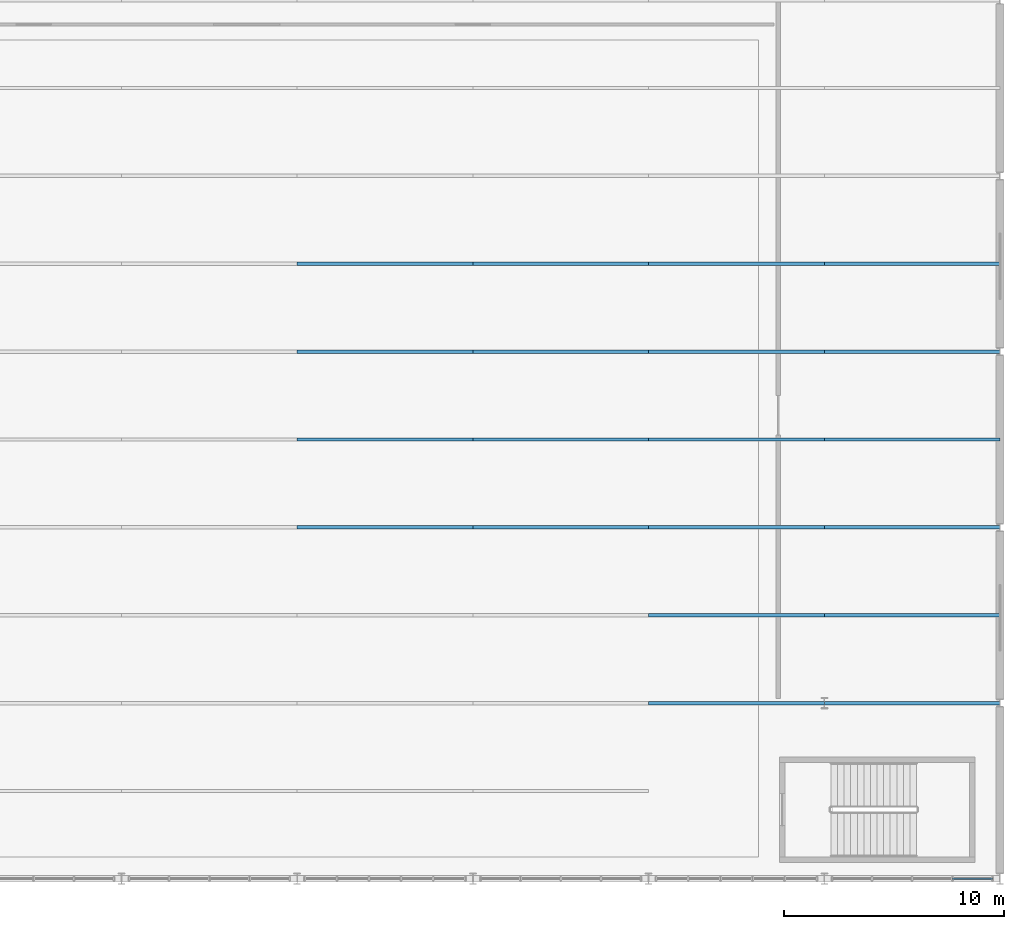
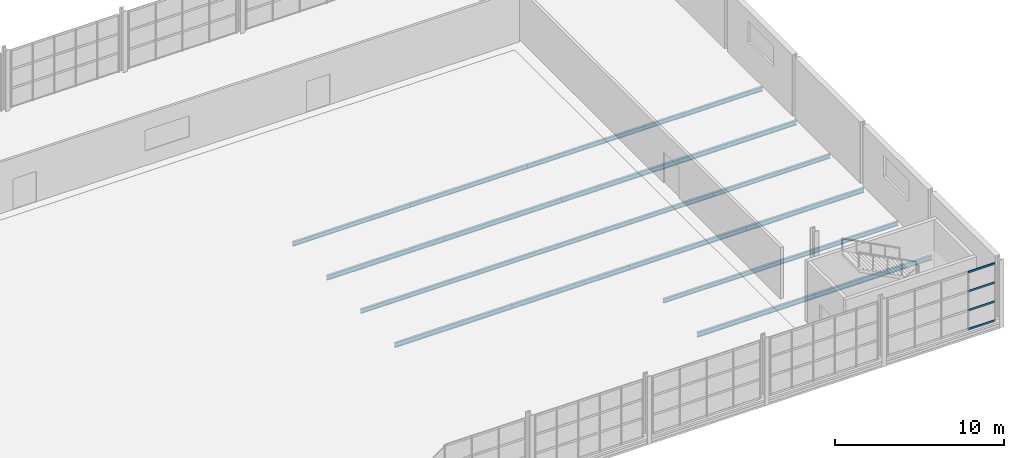
# One storey, part 108 of 153: 20 beams, 4 members, 1 element without a shape of its own.
"""IFC4 building model written with IfcOpenShell, lengths in metres."""

from ifc_helpers import new_model, si_unit, derived_unit, direction, frame, origin, origin_2d, place, context, subcontext, project, spatial, hollow_rectangle, i_section, extrude, material, material_profile, profile_set, type_object, element, aggregate, save


model = new_model("IFC4")

# Units and contexts
model_context = context("Model", 3, precision=1e-05, world=origin(), true_north=direction((0.0, 1.0)))
body_context = subcontext(model_context, "Body", "Model", "MODEL_VIEW")
ifc_project = project(units=[si_unit("LENGTHUNIT", "METRE"), si_unit("AREAUNIT", "SQUARE_METRE"), si_unit("VOLUMEUNIT", "CUBIC_METRE"), si_unit("PLANEANGLEUNIT", "RADIAN"), si_unit("MASSUNIT", "GRAM", prefix="KILO"), derived_unit("THERMALTRANSMITTANCEUNIT", [(si_unit("POWERUNIT", "WATT"), 1), (si_unit("LENGTHUNIT", "METRE"), -2), (si_unit("THERMODYNAMICTEMPERATUREUNIT", "KELVIN"), -1)])], contexts=[model_context])

# Site, building, storey
site_placement = place(None, origin())
site = spatial("IfcSite", under=ifc_project, at=site_placement, CompositionType="ELEMENT")
building_placement = place(site_placement, origin())
building = spatial("IfcBuilding", under=site, at=building_placement, Name="Keldorne Ridge Multi-Sports Centre", CompositionType="ELEMENT")
storey_placement = place(building_placement, frame((0.0, 0.0, 9.60009765625)))
storey = spatial("IfcBuildingStorey", under=building, at=storey_placement, Name="L02", CompositionType="ELEMENT", Elevation=9.60009765625)

# Beams
ifc_material_1 = material(Name="Steel S355", Category="steel")
ifc_material_profile_1 = material_profile(ifc_material_1, i_section(OverallWidth=0.159912109375, OverallDepth=0.330078125, WebThickness=0.007568359375, FlangeThickness=0.011474609375, FilletRadius=0.01806640625, at=origin_2d()), Name="IPE 330")
ifc_profile_set_1 = profile_set([ifc_material_profile_1], Name="Steel S355")
beam_type_1 = type_object("IfcBeamType", Name="BM-J-01", PredefinedType="JOIST", material=ifc_profile_set_1)
for number, where, z_axis, x_axis, name in (
    (1, (136.0, 22.0, -0.405029296875), (1.0, 0.0, 0.0), (0.0, 1.0, 0.0), "L02 Stacked Courts beam 5.5"),
    (2, (136.0, 30.0, -0.405029296875), (1.0, 0.0, 0.0), (0.0, 1.0, 0.0), "L02 Stacked Courts beam 5.7"),
    (3, (144.0, 22.0, -0.405029296875), (1.0, 0.0, 0.0), (0.0, 1.0, 0.0), "L02 Stacked Courts beam 6.5"),
    (4, (144.0, 30.0, -0.405029296875), (1.0, 0.0, 0.0), (0.0, 1.0, 0.0), "L02 Stacked Courts beam 6.7"),
    (5, (152.0, 14.0, -0.405029296875), (1.0, 0.0, 0.0), (0.0, 1.0, 0.0), "L02 Stacked Courts beam 7.3"),
    (6, (152.0, 22.0, -0.405029296875), (1.0, 0.0, 0.0), (0.0, 1.0, 0.0), "L02 Stacked Courts beam 7.5"),
    (7, (152.0, 30.0, -0.405029296875), (1.0, 0.0, 0.0), (0.0, 1.0, 0.0), "L02 Stacked Courts beam 7.7"),
    (8, (160.0, 14.0, -0.405029296875), (1.0, 0.0, 0.0), (0.0, 1.0, 0.0), "L02 Stacked Courts beam 8.3"),
    (9, (160.0, 22.0, -0.405029296875), (1.0, 0.0, 0.0), (0.0, 1.0, 0.0), "L02 Stacked Courts beam 8.5"),
    (10, (160.0, 30.0, -0.405029296875), (1.0, 0.0, 0.0), (0.0, 1.0, 0.0), "L02 Stacked Courts beam 8.7"),
):
    element("IfcBeam", number, at=place(storey_placement, frame(where, z_axis=z_axis, x_axis=x_axis)), inside=storey, type_object=beam_type_1, Name=name, PredefinedType="JOIST", context=body_context, shape_type="SweptSolid", body=[
        extrude(i_section(OverallWidth=0.159912109375, OverallDepth=0.330078125, WebThickness=0.007568359375, FlangeThickness=0.011474609375, FilletRadius=0.01806640625, at=origin_2d()), origin(), (0.0, 0.0, 1.0), 8.0),
    ])
ifc_material_profile_2 = material_profile(ifc_material_1, i_section(OverallWidth=0.14990234375, OverallDepth=0.300048828125, WebThickness=0.007080078125, FlangeThickness=0.0107421875, FilletRadius=0.014892578125, at=origin_2d()), Name="IPE 300")
ifc_profile_set_2 = profile_set([ifc_material_profile_2], Name="Steel S355")
beam_type_2 = type_object("IfcBeamType", Name="BM-J-02", PredefinedType="JOIST", material=ifc_profile_set_2)
for number, where, z_axis, x_axis, name in (
    (11, (136.0, 26.0, -0.39013671875), (1.0, 0.0, 0.0), (0.0, 1.0, 0.0), "L02 Stacked Courts beam 5.6"),
    (12, (136.0, 34.0, -0.39013671875), (1.0, 0.0, 0.0), (0.0, 1.0, 0.0), "L02 Stacked Courts beam 5.8"),
    (13, (144.0, 26.0, -0.39013671875), (1.0, 0.0, 0.0), (0.0, 1.0, 0.0), "L02 Stacked Courts beam 6.6"),
    (14, (144.0, 34.0, -0.39013671875), (1.0, 0.0, 0.0), (0.0, 1.0, 0.0), "L02 Stacked Courts beam 6.8"),
    (15, (152.0, 18.0, -0.39013671875), (1.0, 0.0, 0.0), (0.0, 1.0, 0.0), "L02 Stacked Courts beam 7.4"),
    (16, (152.0, 26.0, -0.39013671875), (1.0, 0.0, 0.0), (0.0, 1.0, 0.0), "L02 Stacked Courts beam 7.6"),
    (17, (152.0, 34.0, -0.39013671875), (1.0, 0.0, 0.0), (0.0, 1.0, 0.0), "L02 Stacked Courts beam 7.8"),
    (18, (160.0, 18.0, -0.39013671875), (1.0, 0.0, 0.0), (0.0, 1.0, 0.0), "L02 Stacked Courts beam 8.4"),
    (19, (160.0, 26.0, -0.39013671875), (1.0, 0.0, 0.0), (0.0, 1.0, 0.0), "L02 Stacked Courts beam 8.6"),
    (20, (160.0, 34.0, -0.39013671875), (1.0, 0.0, 0.0), (0.0, 1.0, 0.0), "L02 Stacked Courts beam 8.8"),
):
    element("IfcBeam", number, at=place(storey_placement, frame(where, z_axis=z_axis, x_axis=x_axis)), inside=storey, type_object=beam_type_2, Name=name, PredefinedType="JOIST", context=body_context, shape_type="SweptSolid", body=[
        extrude(i_section(OverallWidth=0.14990234375, OverallDepth=0.300048828125, WebThickness=0.007080078125, FlangeThickness=0.0107421875, FilletRadius=0.014892578125, at=origin_2d()), origin(), (0.0, 0.0, 1.0), 8.0),
    ])

# Curtain wall, members
ifc_material_2 = material(Name="Anodized aluminium", Category="aluminium")
curtain_wall_type = type_object("IfcCurtainWallType", Name="CW-CW-05", PredefinedType="NOTDEFINED", material=ifc_material_2)
curtain_wall_placement = place(storey_placement, origin())
curtain_wall = element("IfcCurtainWall", 21, at=curtain_wall_placement, inside=storey, type_object=curtain_wall_type, Name="Upper Courts south curtain wall 133", PredefinedType="NOTDEFINED")
ifc_material_profile_3 = material_profile(ifc_material_2, hollow_rectangle(XDim=0.06494140625, YDim=0.139892578125, WallThickness=0.00439453125, InnerFilletRadius=0.00439453125, OuterFilletRadius=0.009033203125, at=origin_2d()), Name="ALU TRANSOM 140x65x4.5")
ifc_profile_set_3 = profile_set([ifc_material_profile_3], Name="Anodized aluminium")
member_type = type_object("IfcMemberType", Name="MEM-TR-01", PredefinedType="USERDEFINED", material=ifc_profile_set_3)
member_1_placement = place(storey_placement, frame((165.830078125, 6.0, 0.0), z_axis=(1.0, 0.0, 0.0), x_axis=(0.0, 1.0, 0.0)))
member_1 = element("IfcMember", 22, at=member_1_placement, type_object=member_type, Name="CW-133 transom 4.1", ObjectType="TRANSOM", PredefinedType="USERDEFINED", context=body_context, shape_type="SweptSolid", body=[
    extrude(hollow_rectangle(XDim=0.06494140625, YDim=0.139892578125, WallThickness=0.00439453125, InnerFilletRadius=0.00439453125, OuterFilletRadius=0.009033203125, at=origin_2d()), origin(), (0.0, 0.0, 1.0), 1.829833984375),
])
member_2_placement = place(storey_placement, frame((165.830078125, 6.0, 1.36669921875), z_axis=(1.0, 0.0, 0.0), x_axis=(0.0, 1.0, 0.0)))
member_2 = element("IfcMember", 23, at=member_2_placement, type_object=member_type, Name="CW-133 transom 4.2", ObjectType="TRANSOM", PredefinedType="USERDEFINED", context=body_context, shape_type="SweptSolid", body=[
    extrude(hollow_rectangle(XDim=0.06494140625, YDim=0.139892578125, WallThickness=0.00439453125, InnerFilletRadius=0.00439453125, OuterFilletRadius=0.009033203125, at=origin_2d()), origin(), (0.0, 0.0, 1.0), 1.829833984375),
])
member_3_placement = place(storey_placement, frame((165.830078125, 6.0, 2.733154296875), z_axis=(1.0, 0.0, 0.0), x_axis=(0.0, 1.0, 0.0)))
member_3 = element("IfcMember", 24, at=member_3_placement, type_object=member_type, Name="CW-133 transom 4.3", ObjectType="TRANSOM", PredefinedType="USERDEFINED", context=body_context, shape_type="SweptSolid", body=[
    extrude(hollow_rectangle(XDim=0.06494140625, YDim=0.139892578125, WallThickness=0.00439453125, InnerFilletRadius=0.00439453125, OuterFilletRadius=0.009033203125, at=origin_2d()), origin(), (0.0, 0.0, 1.0), 1.829833984375),
])
member_4_placement = place(storey_placement, frame((165.830078125, 6.0, 4.099853515625), z_axis=(1.0, 0.0, 0.0), x_axis=(0.0, 1.0, 0.0)))
member_4 = element("IfcMember", 25, at=member_4_placement, type_object=member_type, Name="CW-133 transom 4.4", ObjectType="TRANSOM", PredefinedType="USERDEFINED", context=body_context, shape_type="SweptSolid", body=[
    extrude(hollow_rectangle(XDim=0.06494140625, YDim=0.139892578125, WallThickness=0.00439453125, InnerFilletRadius=0.00439453125, OuterFilletRadius=0.009033203125, at=origin_2d()), origin(), (0.0, 0.0, 1.0), 1.829833984375),
])
aggregate(curtain_wall, [member_1, member_2, member_3, member_4])

save(model, "model.ifc")
